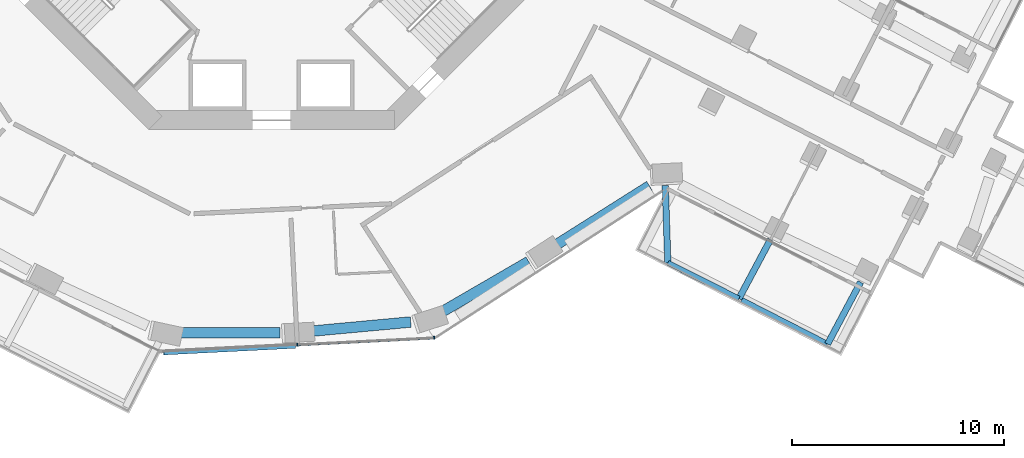
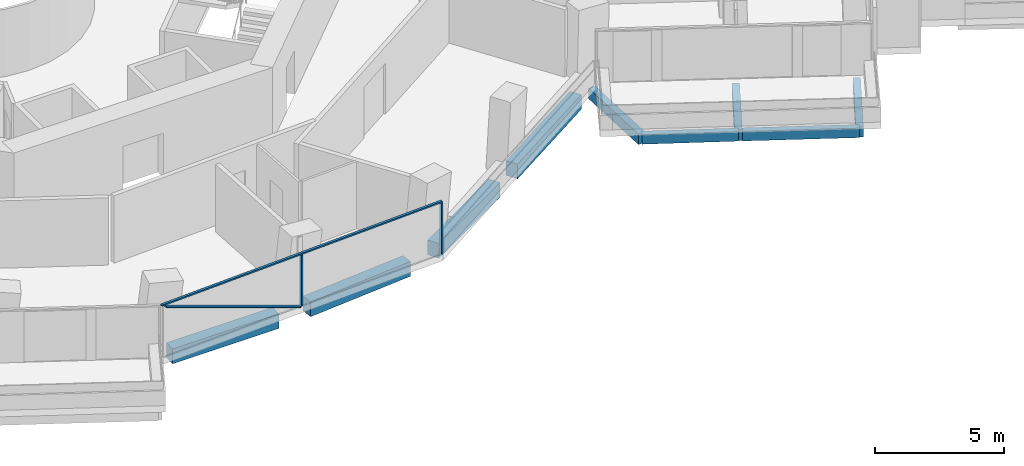
# One storey, part 5 of 25: 9 beams, 4 members, 1 element without a shape of its own.
"""IFC4 building model written with IfcOpenShell, lengths in metres."""

import ifcopenshell
import ifcopenshell.guid

model = None  # the IFC model being written
_history = None  # IfcOwnerHistory: only IFC2X3 demands one
_inside = {}  # id of a spatial element -> (the spatial element, [elements in it])
_under = {}  # id of a project, library or spatial element -> (it, [spatial elements below it])
_declared = {}  # id of a project -> (the project, [libraries it declares])
_typed = {}  # id of a type object -> (the type object, [elements of that type])
_made_of = {}  # id of a material, layer set ... -> (it, [elements and type objects made of it])


def new_model(schema):
    """Start an empty IFC model of exactly this schema.

    Asked for "IFC4X3", IfcOpenShell would pick the latest addendum, in which some entities
    have other attributes; the version numbers below select the first issue.
    IFC2X3 requires an IfcOwnerHistory on every rooted entity: one is made here for all.
    """
    global model, _history
    if schema == "IFC4X3":
        model = ifcopenshell.file(schema_version=(4, 3, 0, 0))
    else:
        model = ifcopenshell.file(schema=schema)
    _inside.clear()
    _under.clear()
    _declared.clear()
    _typed.clear()
    _made_of.clear()
    _history = None
    if model.schema == "IFC2X3":
        org = make("IfcOrganization", Name="unknown")
        user = make(
            "IfcPersonAndOrganization",
            ThePerson=make("IfcPerson", FamilyName="unknown"),
            TheOrganization=org,
        )
        app = make(
            "IfcApplication",
            ApplicationDeveloper=org,
            Version="unknown",
            ApplicationFullName="unknown",
            ApplicationIdentifier="unknown",
        )
        _history = make(
            "IfcOwnerHistory",
            OwningUser=user,
            OwningApplication=app,
            ChangeAction="ADDED",
            CreationDate=0,
        )
    return model


def make(cls, **values):
    """One entity of the class cls with the attributes given. An attribute that is None is left unset."""
    return model.create_entity(
        cls, **{name: value for name, value in values.items() if value is not None}
    )


def rooted(cls, **values):
    """An entity with a GlobalId (a new one), such as an element, a storey or a relation."""
    return make(cls, GlobalId=ifcopenshell.guid.new(), OwnerHistory=_history, **values)


def si_unit(unit_type, name, prefix=None):
    """IfcSIUnit, for example si_unit("LENGTHUNIT", "METRE", prefix="MILLI")."""
    return make("IfcSIUnit", UnitType=unit_type, Prefix=prefix, Name=name)


def assignment(units):
    """IfcUnitAssignment: the units of a project."""
    return None if units is None else make("IfcUnitAssignment", Units=units)


def point(xyz):
    """IfcCartesianPoint."""
    return None if xyz is None else make("IfcCartesianPoint", Coordinates=xyz)


def direction(xyz):
    """IfcDirection."""
    return None if xyz is None else make("IfcDirection", DirectionRatios=xyz)


def frame(location, z_axis=None, x_axis=None):
    """IfcAxis2Placement3D, a coordinate frame: its origin and axes. An axis left out is left unset."""
    return make(
        "IfcAxis2Placement3D",
        Location=point(location),
        Axis=direction(z_axis),
        RefDirection=direction(x_axis),
    )


def frame_2d(location, x_axis=None):
    """IfcAxis2Placement2D, a coordinate frame in the plane: its origin and x axis."""
    return make(
        "IfcAxis2Placement2D", Location=point(location), RefDirection=direction(x_axis)
    )


def origin():
    """The frame at (0, 0, 0) with its axes left unset."""
    return frame((0.0, 0.0, 0.0))


def origin_2d():
    """The frame at (0, 0) in the plane with its x axis left unset."""
    return frame_2d((0.0, 0.0))


def place(relative_to, where):
    """IfcLocalPlacement: puts the frame where relative to a parent placement (None: the world)."""
    return make(
        "IfcLocalPlacement", PlacementRelTo=relative_to, RelativePlacement=where
    )


def context(
    kind, dimensions, precision=None, world=None, true_north=None, identifier=None
):
    """IfcGeometricRepresentationContext, for example the 3D "Model" context."""
    return make(
        "IfcGeometricRepresentationContext",
        ContextIdentifier=identifier,
        ContextType=kind,
        CoordinateSpaceDimension=dimensions,
        Precision=precision,
        WorldCoordinateSystem=world,
        TrueNorth=true_north,
    )


def subcontext(parent, identifier, kind, view, scale=None):
    """IfcGeometricRepresentationSubContext, for example "Body" below "Model"."""
    return make(
        "IfcGeometricRepresentationSubContext",
        ContextIdentifier=identifier,
        ContextType=kind,
        ParentContext=parent,
        TargetScale=scale,
        TargetView=view,
    )


def project(units=None, contexts=None):
    """IfcProject with its units and contexts."""
    return rooted(
        "IfcProject",
        Name="project",
        RepresentationContexts=contexts,
        UnitsInContext=assignment(units),
    )


def spatial(cls, under=None, at=None, **own):
    """A site, building, storey or space (cls), placed at a placement, below another one or the project."""
    s = rooted(cls, ObjectPlacement=at, **own)
    if under is not None:
        _under.setdefault(under.id(), (under, []))[1].append(s)
    return s


def profile(cls, at=None, kind="AREA", **sizes):
    """A parametric profile (cls). Its sizes go by their IFC names, for example OverallWidth=200.0."""
    return make(cls, ProfileType=kind, Position=at, **sizes)


def rectangle(**sizes):
    """IfcRectangleProfileDef."""
    return profile("IfcRectangleProfileDef", **sizes)


def extrude(swept, where, along, depth):
    """IfcExtrudedAreaSolid: the profile swept, set in the frame where, extruded along a direction by depth."""
    return make(
        "IfcExtrudedAreaSolid",
        SweptArea=swept,
        Position=where,
        ExtrudedDirection=direction(along),
        Depth=depth,
    )


def shape(context_of_items, identifier, shape_type, items):
    """IfcShapeRepresentation: the items that make up one representation, for example the "Body"."""
    return make(
        "IfcShapeRepresentation",
        ContextOfItems=context_of_items,
        RepresentationIdentifier=identifier,
        RepresentationType=shape_type,
        Items=items,
    )


def material(Name=None, Category=None):
    """IfcMaterial."""
    return make("IfcMaterial", Name=Name, Category=Category)


def layer(
    of_material, thickness, ventilated=None, Name=None, Category=None, Priority=None
):
    """IfcMaterialLayer: one layer of a wall or slab, of a material (None: an air gap)."""
    return make(
        "IfcMaterialLayer",
        Material=of_material,
        LayerThickness=thickness,
        IsVentilated=ventilated,
        Name=Name,
        Category=Category,
        Priority=Priority,
    )


def layer_set(layers, Name=None):
    """IfcMaterialLayerSet."""
    return make("IfcMaterialLayerSet", MaterialLayers=layers, LayerSetName=Name)


def material_profile(
    of_material, cross_section, Name=None, Category=None, Priority=None
):
    """IfcMaterialProfile: a cross section and its material."""
    return make(
        "IfcMaterialProfile",
        Name=Name,
        Material=of_material,
        Profile=cross_section,
        Priority=Priority,
        Category=Category,
    )


def profile_set(profiles, Name=None, composite=None):
    """IfcMaterialProfileSet."""
    return make(
        "IfcMaterialProfileSet",
        Name=Name,
        MaterialProfiles=profiles,
        CompositeProfile=composite,
    )


def made_of(thing, what):
    """Note that an element or type object is made of a material, layer set ...; save() writes the relation."""
    if what is not None:
        _made_of.setdefault(what.id(), (what, []))[1].append(thing)
    return thing


def type_object(cls, material=None, **own):
    """A type object (cls), such as IfcWallType, which elements share."""
    return made_of(rooted(cls, **own), material)


def element(
    cls,
    number,
    at=None,
    inside=None,
    cuts=None,
    type_object=None,
    material=None,
    context=None,
    identifier="Body",
    shape_type=None,
    held_by="IfcProductDefinitionShape",
    body=None,
    shapes=None,
    **own,
):
    """One element of the class cls, such as IfcWall. Its Tag is "e" and its number.

    at: its placement. inside: the storey or other place that contains it. cuts: it is an
    opening in that element (IfcRelVoidsElement). A single representation is given by context,
    identifier, shape_type and body (its items); several are given by shapes. held_by: the class
    of the entity that holds the representations. save() writes the other relations.
    """
    e = rooted(cls, Tag="e%d" % number, ObjectPlacement=at, **own)
    if body is not None:
        shapes = [shape(context, identifier, shape_type, body)]
    if shapes is not None:
        e.Representation = make(held_by, Representations=shapes)
    if inside is not None:
        _inside.setdefault(inside.id(), (inside, []))[1].append(e)
    if cuts is not None:
        rooted(
            "IfcRelVoidsElement", RelatingBuildingElement=cuts, RelatedOpeningElement=e
        )
    if type_object is not None:
        _typed.setdefault(type_object.id(), (type_object, []))[1].append(e)
    return made_of(e, material)


def aggregate(whole, parts):
    """IfcRelAggregates: a whole, such as a stair, and the parts it consists of."""
    return rooted("IfcRelAggregates", RelatingObject=whole, RelatedObjects=parts)


def save(model, path):
    """Write the relations noted so far, then the file.

    IfcRelAggregates (storeys below a building ...), IfcRelContainedInSpatialStructure (elements
    in a storey), IfcRelDefinesByType, IfcRelAssociatesMaterial and IfcRelDeclares: one each for
    every whole, place, type object, material and project.
    """
    for whole, parts in _under.values():
        aggregate(whole, parts)
    for where, things in _inside.values():
        rooted(
            "IfcRelContainedInSpatialStructure",
            RelatedElements=things,
            RelatingStructure=where,
        )
    for kind, things in _typed.values():
        rooted("IfcRelDefinesByType", RelatedObjects=things, RelatingType=kind)
    for what, things in _made_of.values():
        rooted("IfcRelAssociatesMaterial", RelatedObjects=things, RelatingMaterial=what)
    for by, libraries in _declared.values():
        rooted("IfcRelDeclares", RelatingContext=by, RelatedDefinitions=libraries)
    model.write(path)


model = new_model("IFC4")

# Units and contexts
model_context = context("Model", 3, precision=1e-05, world=origin(), true_north=direction((0.0, 1.0)))
body_context = subcontext(model_context, "Body", "Model", "MODEL_VIEW")
ifc_project = project(units=[si_unit("LENGTHUNIT", "METRE"), si_unit("AREAUNIT", "SQUARE_METRE"), si_unit("VOLUMEUNIT", "CUBIC_METRE"), si_unit("PLANEANGLEUNIT", "RADIAN"), si_unit("MASSUNIT", "GRAM", prefix="KILO")], contexts=[model_context])

# Site, building, storey
site_placement = place(None, origin())
site = spatial("IfcSite", under=ifc_project, at=site_placement, CompositionType="ELEMENT")
building_placement = place(site_placement, origin())
building = spatial("IfcBuilding", under=site, at=building_placement, Name="Verdalira Terraces Hotel", CompositionType="ELEMENT")
storey_placement = place(building_placement, frame((0.0, 0.0, 46.0)))
storey = spatial("IfcBuildingStorey", under=building, at=storey_placement, Name="L09", CompositionType="ELEMENT", Elevation=46.0)

# Beams
ifc_material_1 = material(Name="Concrete C40", Category="concrete")
ifc_material_profile_1 = material_profile(ifc_material_1, rectangle(XDim=0.300049, YDim=0.5, at=origin_2d()), Name="RC 300X500")
ifc_profile_set_1 = profile_set([ifc_material_profile_1], Name="Concrete C40")
beam_type_1 = type_object("IfcBeamType", Name="Balcony cantilever beam RC 300X500 C40", PredefinedType="BEAM", material=ifc_profile_set_1)
beam_1_placement = place(storey_placement, frame((18.584229, -16.628906, -0.560059), z_axis=(0.033523843, -0.999437918, 0.0), x_axis=(0.999437918, 0.033523843, 0.0)))
element("IfcBeam", 1, at=beam_1_placement, inside=storey, type_object=beam_type_1, Name="Balcony cantilever beam R28-1", PredefinedType="BEAM", context=body_context, shape_type="SweptSolid", body=[
    extrude(rectangle(XDim=0.300049, YDim=0.5, at=origin_2d()), origin(), (0.0, 0.0, 1.0), 3.655762),
])
beam_2_placement = place(storey_placement, frame((23.549805, -19.189209, -0.560059), z_axis=(-0.470724722, -0.882280135, 0.0), x_axis=(0.882280135, -0.470724722, 0.0)))
element("IfcBeam", 2, at=beam_2_placement, inside=storey, type_object=beam_type_1, Name="Balcony cantilever beam R28-2", PredefinedType="BEAM", context=body_context, shape_type="SweptSolid", body=[
    extrude(rectangle(XDim=0.300049, YDim=0.5, at=origin_2d()), origin(), (0.0, 0.0, 1.0), 3.156494),
])
beam_3_placement = place(storey_placement, frame((27.807861, -21.197998, -0.560059), z_axis=(-0.47072224, -0.882281459, 0.0), x_axis=(0.882281459, -0.47072224, 0.0)))
element("IfcBeam", 3, at=beam_3_placement, inside=storey, type_object=beam_type_1, Name="Balcony cantilever beam R28-3", PredefinedType="BEAM", context=body_context, shape_type="SweptSolid", body=[
    extrude(rectangle(XDim=0.300049, YDim=0.5, at=origin_2d()), origin(), (0.0, 0.0, 1.0), 3.30957),
])
ifc_material_2 = material(Name="Concrete C40", Category="concrete")
ifc_material_profile_2 = material_profile(ifc_material_2, rectangle(XDim=0.25, YDim=0.449951, at=origin_2d()), Name="RC 250X450")
ifc_profile_set_2 = profile_set([ifc_material_profile_2], Name="Concrete C40")
beam_type_2 = type_object("IfcBeamType", Name="Balcony edge beam RC 250X450 C40", PredefinedType="BEAM", material=ifc_profile_set_2)
beam_4_placement = place(storey_placement, frame((18.706787, -20.282715, -0.534912), z_axis=(0.893059186, -0.449939207, 0.0), x_axis=(0.449939207, 0.893059186, 0.0)))
element("IfcBeam", 4, at=beam_4_placement, inside=storey, type_object=beam_type_2, Name="Balcony edge beam R28-1", PredefinedType="BEAM", context=body_context, shape_type="SweptSolid", body=[
    extrude(rectangle(XDim=0.25, YDim=0.449951, at=origin_2d()), origin(), (0.0, 0.0, 1.0), 3.759277),
])
beam_5_placement = place(storey_placement, frame((22.19751, -22.04248, -0.534912), z_axis=(0.890063529, -0.4558365, 0.0), x_axis=(0.4558365, 0.890063529, 0.0)))
element("IfcBeam", 5, at=beam_5_placement, inside=storey, type_object=beam_type_2, Name="Balcony edge beam R28-2", PredefinedType="BEAM", context=body_context, shape_type="SweptSolid", body=[
    extrude(rectangle(XDim=0.25, YDim=0.449951, at=origin_2d()), origin(), (0.0, 0.0, 1.0), 4.552979),
])

# Curtain wall, members
ifc_material_3 = material(Name="Clear glass", Category="glass")
ifc_layer = layer(ifc_material_3, 0.14990234375)
ifc_layer_set = layer_set([ifc_layer], Name="CW1 curtain wall")
curtain_wall_type = type_object("IfcCurtainWallType", Name="CW1 curtain wall", PredefinedType="NOTDEFINED", material=ifc_layer_set)
curtain_wall_placement = place(storey_placement, origin())
curtain_wall = element("IfcCurtainWall", 6, at=curtain_wall_placement, inside=storey, type_object=curtain_wall_type, Name="CW1 curtain wall L09 edge 26", PredefinedType="NOTDEFINED")
ifc_material_4 = material(Name="Terracotta frame", Category="masonry")
ifc_material_profile_3 = material_profile(ifc_material_4, rectangle(XDim=0.060059, YDim=0.149902, at=origin_2d()), Name="MU 60x150")
ifc_profile_set_3 = profile_set([ifc_material_profile_3], Name="Terracotta frame")
member_type_1 = type_object("IfcMemberType", Name="CW1 mullion 60x150", PredefinedType="MULLION", material=ifc_profile_set_3)
member_1_placement = place(storey_placement, frame((1.215088, -24.152832, 0.0), z_axis=(0.0, 0.0, 1.0), x_axis=(0.998736957, 0.050244318, 0.0)))
member_1 = element("IfcMember", 7, at=member_1_placement, type_object=member_type_1, Name="CW1 mullion", PredefinedType="MULLION", context=body_context, shape_type="SweptSolid", body=[
    extrude(rectangle(XDim=0.060059, YDim=0.149902, at=origin_2d()), origin(), (0.0, 0.0, 1.0), 2.425049),
])
member_2_placement = place(storey_placement, frame((7.677002, -23.827637, 0.0), z_axis=(0.0, 0.0, 1.0), x_axis=(0.998736957, 0.050244318, 0.0)))
member_2 = element("IfcMember", 8, at=member_2_placement, type_object=member_type_1, Name="CW1 mullion", PredefinedType="MULLION", context=body_context, shape_type="SweptSolid", body=[
    extrude(rectangle(XDim=0.060059, YDim=0.149902, at=origin_2d()), origin(), (0.0, 0.0, 1.0), 2.425049),
])
ifc_material_5 = material(Name="Terracotta frame", Category="masonry")
ifc_material_profile_4 = material_profile(ifc_material_5, rectangle(XDim=0.110107, YDim=0.064941, at=origin_2d()), Name="TR 65x110")
ifc_profile_set_4 = profile_set([ifc_material_profile_4], Name="Terracotta frame")
member_type_2 = type_object("IfcMemberType", Name="CW1 transom 65x110", PredefinedType="USERDEFINED", material=ifc_profile_set_4)
member_3_placement = place(storey_placement, frame((-5.236572, -24.477295, 2.45752), z_axis=(0.998737071, 0.050242036, 0.0), x_axis=(-0.050242036, 0.998737071, 0.0)))
member_3 = element("IfcMember", 9, at=member_3_placement, type_object=member_type_2, Name="CW1 transom", ObjectType="TRANSOM", PredefinedType="USERDEFINED", context=body_context, shape_type="SweptSolid", body=[
    extrude(rectangle(XDim=0.110107, YDim=0.064941, at=origin_2d()), origin(), (0.0, 0.0, 1.0), 12.959717),
])
ifc_material_6 = material(Name="Terracotta frame", Category="masonry")
ifc_material_profile_5 = material_profile(ifc_material_6, rectangle(XDim=0.149902, YDim=0.060059, at=origin_2d()), Name="GB 60x150")
ifc_profile_set_5 = profile_set([ifc_material_profile_5], Name="Terracotta frame")
member_type_3 = type_object("IfcMemberType", Name="Diagonal glazing bar 60x150", PredefinedType="USERDEFINED", material=ifc_profile_set_5)
member_4_placement = place(storey_placement, frame((-5.09668, -24.559326, 2.39624), z_axis=(0.933390238, 0.046926341, -0.355781649), x_axis=(-0.05021174, 0.998738595, 0.0)))
member_4 = element("IfcMember", 10, at=member_4_placement, type_object=member_type_3, Name="Diagonal glazing bar", ObjectType="GLAZING BAR", PredefinedType="USERDEFINED", context=body_context, shape_type="SweptSolid", body=[
    extrude(rectangle(XDim=0.149902, YDim=0.060059, at=origin_2d()), origin(), (0.0, 0.0, 1.0), 6.654053),
])
aggregate(curtain_wall, [member_1, member_2, member_3, member_4])

# Beams
ifc_material_7 = material(Name="Concrete C70", Category="concrete")
ifc_material_profile_6 = material_profile(ifc_material_7, rectangle(XDim=0.5, YDim=0.699951, at=origin_2d()), Name="RC 500X700")
ifc_profile_set_6 = profile_set([ifc_material_profile_6], Name="Concrete C70")
beam_type_3 = type_object("IfcBeamType", Name="Spandrel beam RC 500X700 C70", PredefinedType="SPANDREL", material=ifc_profile_set_6)
beam_6_placement = place(storey_placement, frame((-4.36084, -23.594482, -0.659912), z_axis=(0.999997215, 0.002359936, 0.0), x_axis=(-0.002359936, 0.999997215, 0.0)))
element("IfcBeam", 11, at=beam_6_placement, inside=storey, type_object=beam_type_3, Name="Spandrel beam B21", PredefinedType="SPANDREL", context=body_context, shape_type="SweptSolid", body=[
    extrude(rectangle(XDim=0.5, YDim=0.699951, at=origin_2d()), origin(), (0.0, 0.0, 1.0), 4.758789),
])
beam_7_placement = place(storey_placement, frame((1.83374, -23.515137, -0.659912), z_axis=(0.995782641, 0.091743843, 0.0), x_axis=(-0.091743843, 0.995782641, 0.0)))
element("IfcBeam", 12, at=beam_7_placement, inside=storey, type_object=beam_type_3, Name="Spandrel beam B22", PredefinedType="SPANDREL", context=body_context, shape_type="SweptSolid", body=[
    extrude(rectangle(XDim=0.5, YDim=0.699951, at=origin_2d()), origin(), (0.0, 0.0, 1.0), 4.755371),
])
beam_8_placement = place(storey_placement, frame((8.020508, -22.614014, -0.659912), z_axis=(0.864844994, 0.502038979, 0.0), x_axis=(-0.502038979, 0.864844994, 0.0)))
element("IfcBeam", 13, at=beam_8_placement, inside=storey, type_object=beam_type_3, Name="Spandrel beam B23", PredefinedType="SPANDREL", context=body_context, shape_type="SweptSolid", body=[
    extrude(rectangle(XDim=0.5, YDim=0.699951, at=origin_2d()), origin(), (0.0, 0.0, 1.0), 4.759033),
])
beam_9_placement = place(storey_placement, frame((13.347656, -19.491211, -0.659912), z_axis=(0.845437572, 0.534074257, 0.0), x_axis=(-0.534074257, 0.845437572, 0.0)))
element("IfcBeam", 14, at=beam_9_placement, inside=storey, type_object=beam_type_3, Name="Spandrel beam B24", PredefinedType="SPANDREL", context=body_context, shape_type="SweptSolid", body=[
    extrude(rectangle(XDim=0.5, YDim=0.699951, at=origin_2d()), origin(), (0.0, 0.0, 1.0), 5.312256),
])

save(model, "model.ifc")
